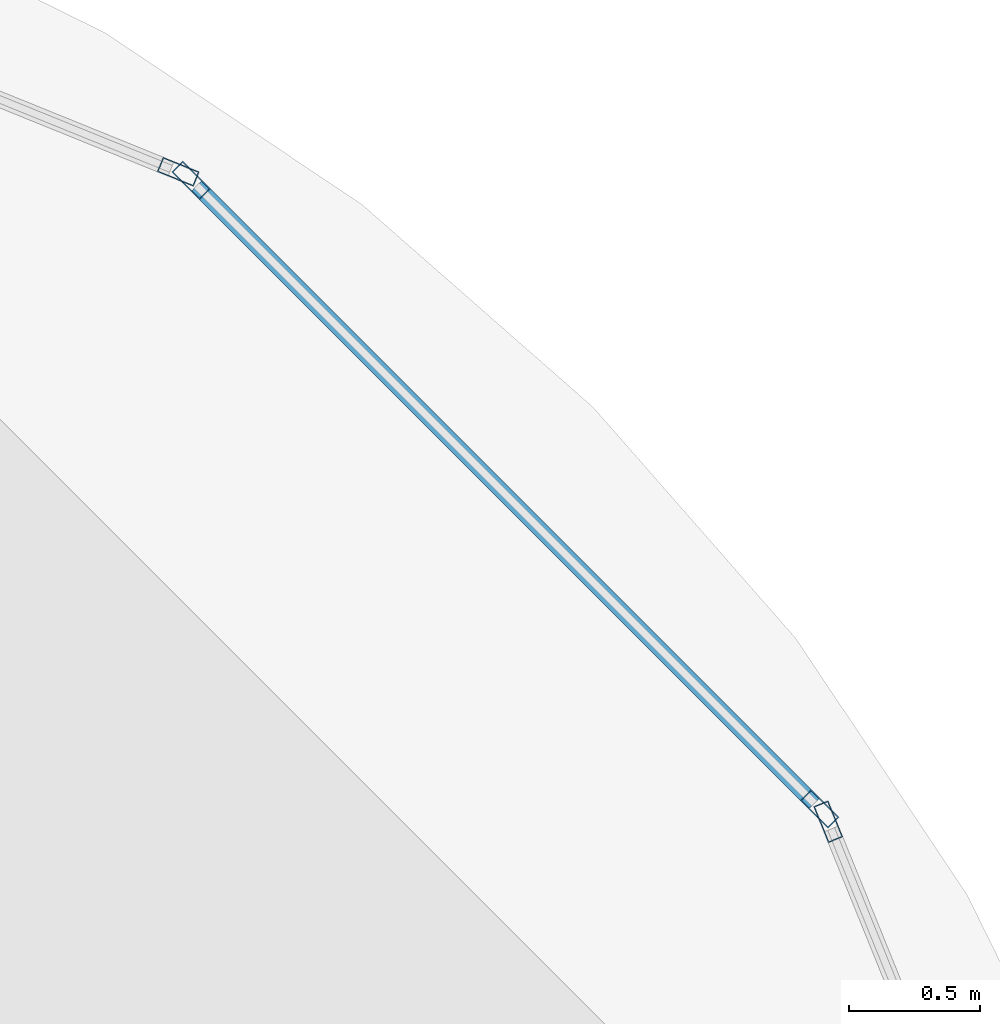
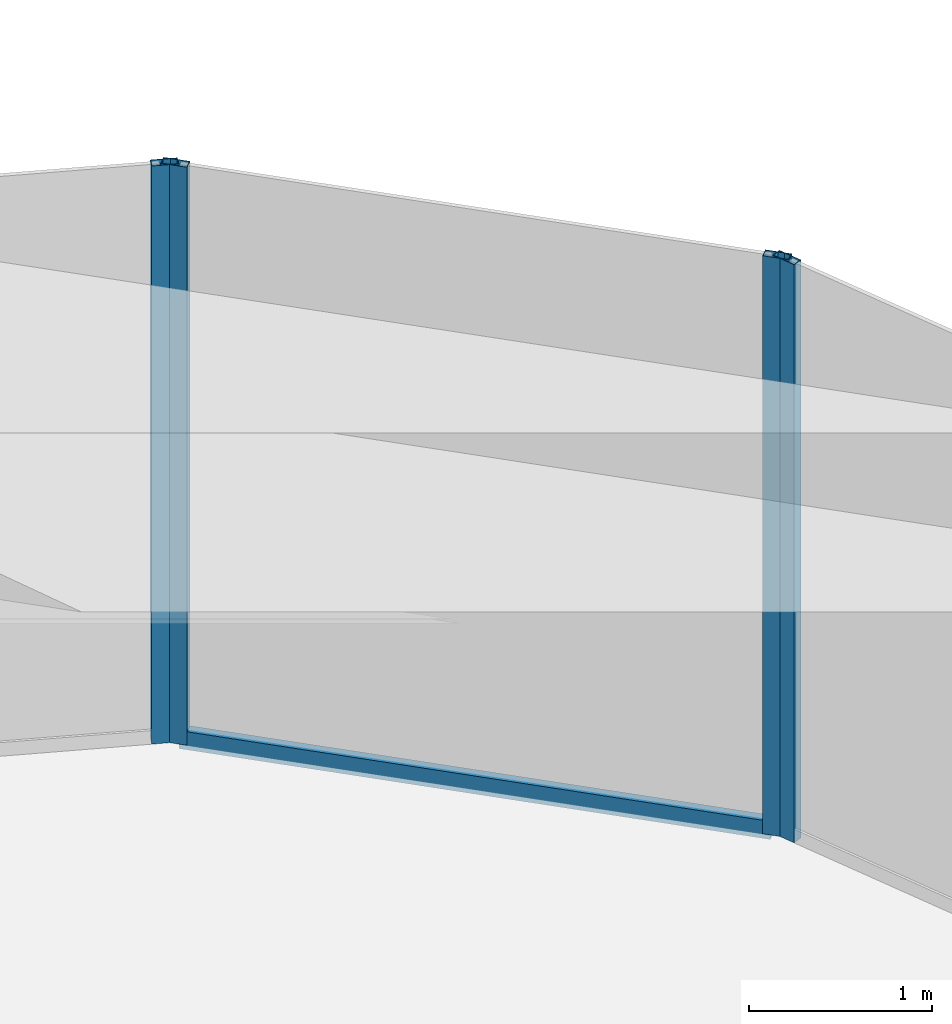
# One storey, part 34 of 39: 5 members, 3 elements without a shape of their own.
"""IFC4 building model written with IfcOpenShell, lengths in metres."""

from ifc_helpers import new_model, si_unit, direction, frame, origin, origin_2d, place, context, subcontext, project, spatial, hollow_rectangle, extrude, material, material_profile, profile_set, type_object, element, aggregate, save


model = new_model("IFC4")

# Units and contexts
model_context = context("Model", 3, precision=1e-05, world=origin(), true_north=direction((0.0, 1.0)))
body_context = subcontext(model_context, "Body", "Model", "MODEL_VIEW")
ifc_project = project(units=[si_unit("LENGTHUNIT", "METRE"), si_unit("AREAUNIT", "SQUARE_METRE"), si_unit("VOLUMEUNIT", "CUBIC_METRE"), si_unit("PLANEANGLEUNIT", "RADIAN"), si_unit("MASSUNIT", "GRAM", prefix="KILO")], contexts=[model_context])

# Site, building, storey
site_placement = place(None, origin())
site = spatial("IfcSite", under=ifc_project, at=site_placement, CompositionType="ELEMENT")
building_placement = place(site_placement, origin())
building = spatial("IfcBuilding", under=site, at=building_placement, Name="Zorevar Civic Tower", CompositionType="ELEMENT")
storey_placement = place(building_placement, frame((0.0, 0.0, 230.199951171875)))
storey = spatial("IfcBuildingStorey", under=building, at=storey_placement, Name="L56", CompositionType="ELEMENT", Elevation=230.199951171875)

# Curtain wall, member
ifc_material_1 = material(Name="Dark grey solar-control glass in black aluminium frame", Category="aluminium")
curtain_wall_type = type_object("IfcCurtainWallType", Name="Curtain wall CW4 high zone", PredefinedType="NOTDEFINED", material=ifc_material_1)
curtain_wall_1_placement = place(storey_placement, origin())
curtain_wall_1 = element("IfcCurtainWall", 1, at=curtain_wall_1_placement, inside=storey, type_object=curtain_wall_type, Name="CW4 L56", PredefinedType="NOTDEFINED")
ifc_material_2 = material(Name="Aluminium, black anodised", Category="aluminium")
ifc_material_profile_1 = material_profile(ifc_material_2, hollow_rectangle(XDim=0.06005859375, YDim=0.14990234375, WallThickness=0.00390625, at=origin_2d()), Name="AL 150x60x4")
ifc_profile_set_1 = profile_set([ifc_material_profile_1], Name="Aluminium, black anodised")
member_type_1 = type_object("IfcMemberType", Name="CW4 mullion AL 150x60x4", PredefinedType="MULLION", material=ifc_profile_set_1)
member_1_placement = place(storey_placement, frame((52.263427734375, 40.778076171875, 0.0), z_axis=(0.0, 0.0, 1.0), x_axis=(-0.926761540227, -0.375650166453, 0.0)))
member_1 = element("IfcMember", 2, at=member_1_placement, type_object=member_type_1, Name="CW4 mullion 2", PredefinedType="MULLION", context=body_context, shape_type="SweptSolid", body=[
    extrude(hollow_rectangle(XDim=0.06005859375, YDim=0.14990234375, WallThickness=0.00390625, at=origin_2d()), origin(), (0.0, 0.0, 1.0), 3.85009765625),
])
aggregate(curtain_wall_1, [member_1])

# Curtain wall, members
curtain_wall_2_placement = place(storey_placement, origin())
curtain_wall_2 = element("IfcCurtainWall", 3, at=curtain_wall_2_placement, inside=storey, type_object=curtain_wall_type, Name="CW4 L56", PredefinedType="NOTDEFINED")
member_2_placement = place(storey_placement, frame((52.23095703125, 40.8271484375, 0.0), z_axis=(0.0, 0.0, 1.0), x_axis=(-0.707106781187, -0.707106781187, 0.0)))
member_2 = element("IfcMember", 4, at=member_2_placement, type_object=member_type_1, Name="CW4 mullion 1", PredefinedType="MULLION", context=body_context, shape_type="SweptSolid", body=[
    extrude(hollow_rectangle(XDim=0.06005859375, YDim=0.14990234375, WallThickness=0.00390625, at=origin_2d()), origin(), (0.0, 0.0, 1.0), 3.85009765625),
])
member_3_placement = place(storey_placement, frame((49.8271484375, 43.23095703125, 0.0), z_axis=(0.0, 0.0, 1.0), x_axis=(-0.707106781187, -0.707106781187, 0.0)))
member_3 = element("IfcMember", 5, at=member_3_placement, type_object=member_type_1, Name="CW4 mullion 2", PredefinedType="MULLION", context=body_context, shape_type="SweptSolid", body=[
    extrude(hollow_rectangle(XDim=0.06005859375, YDim=0.14990234375, WallThickness=0.00390625, at=origin_2d()), origin(), (0.0, 0.0, 1.0), 3.85009765625),
])

# Curtain wall, member
curtain_wall_3_placement = place(storey_placement, origin())
curtain_wall_3 = element("IfcCurtainWall", 6, at=curtain_wall_3_placement, inside=storey, type_object=curtain_wall_type, Name="CW4 L56", PredefinedType="NOTDEFINED")
member_4_placement = place(storey_placement, frame((49.778076171875, 43.263427734375, 0.0), z_axis=(0.0, 0.0, 1.0), x_axis=(-0.375650166453, -0.926761540227, 0.0)))
member_4 = element("IfcMember", 7, at=member_4_placement, type_object=member_type_1, Name="CW4 mullion 1", PredefinedType="MULLION", context=body_context, shape_type="SweptSolid", body=[
    extrude(hollow_rectangle(XDim=0.06005859375, YDim=0.14990234375, WallThickness=0.00390625, at=origin_2d()), origin(), (0.0, 0.0, 1.0), 3.85009765625),
])
aggregate(curtain_wall_3, [member_4])

# Member
ifc_material_3 = material(Name="Aluminium, black anodised", Category="aluminium")
ifc_material_profile_2 = material_profile(ifc_material_3, hollow_rectangle(XDim=0.06005859375, YDim=0.1201171875, WallThickness=0.0029296875, at=origin_2d()), Name="AL 120x60x3")
ifc_profile_set_2 = profile_set([ifc_material_profile_2], Name="Aluminium, black anodised")
member_type_2 = type_object("IfcMemberType", Name="CW4 transom AL 120x60x3", PredefinedType="USERDEFINED", material=ifc_profile_set_2)
member_5_placement = place(storey_placement, frame((52.209716796875, 40.848388671875, 0.030029296875), z_axis=(-0.707106781187, 0.707106781187, 0.0), x_axis=(-0.707106781187, -0.707106781187, 0.0)))
member_5 = element("IfcMember", 8, at=member_5_placement, type_object=member_type_2, Name="CW4 sill transom", ObjectType="TRANSOM", PredefinedType="USERDEFINED", context=body_context, shape_type="SweptSolid", body=[
    extrude(hollow_rectangle(XDim=0.06005859375, YDim=0.1201171875, WallThickness=0.0029296875, at=origin_2d()), origin(), (0.0, 0.0, 1.0), 3.33935546875),
])

aggregate(curtain_wall_2, [member_2, member_3, member_5])

save(model, "model.ifc")
